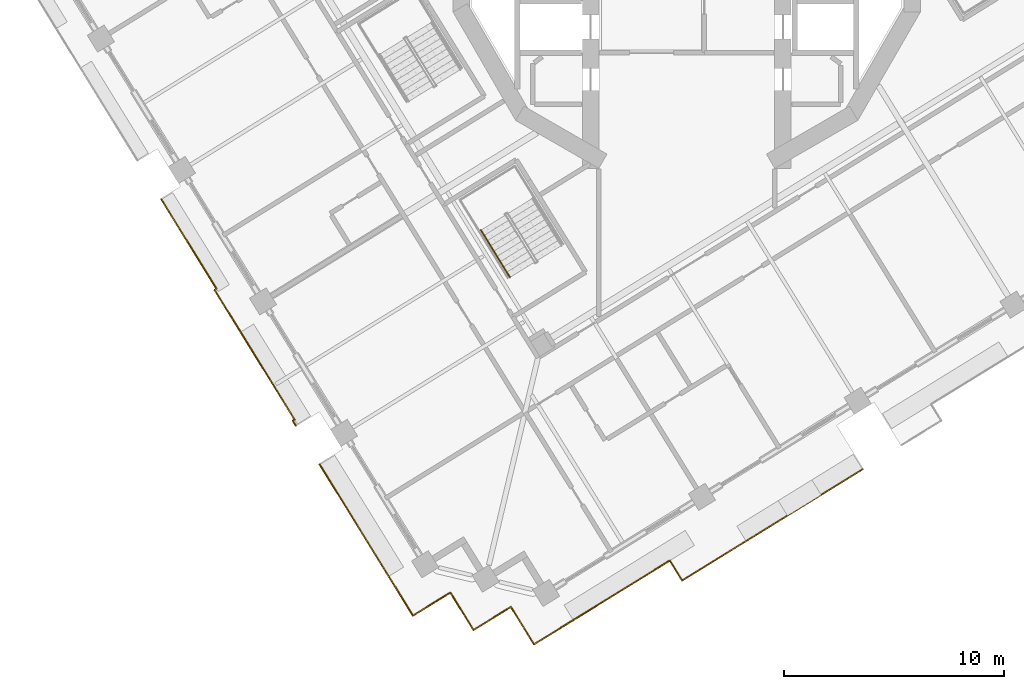
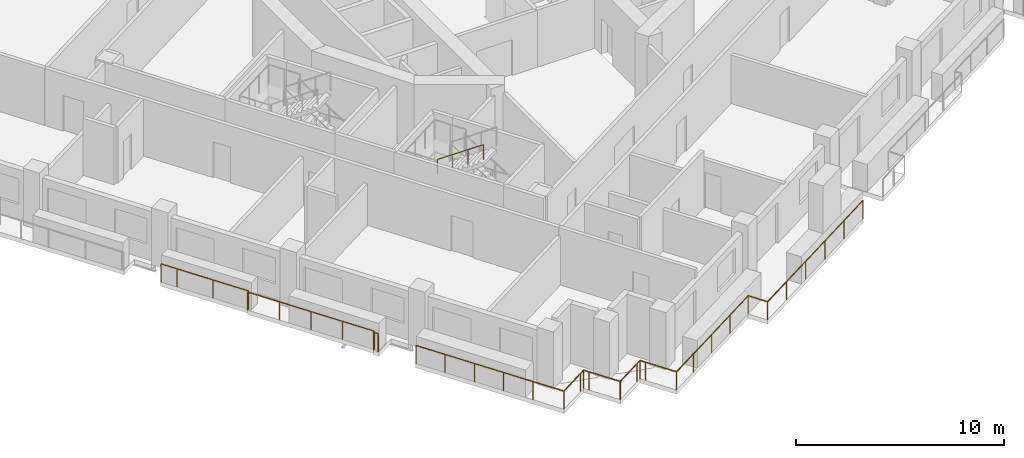
# One storey, part 14 of 21: 4 railings.
"""IFC4 building model written with IfcOpenShell, lengths in metres."""

from ifc_helpers import new_model, si_unit, direction, frame, origin, origin_2d, place, context, subcontext, project, spatial, circle, extrude, material, type_object, element, save


model = new_model("IFC4")

# Units and contexts
model_context = context("Model", 3, precision=1e-05, world=origin(), true_north=direction((0.0, 1.0)))
body_context = subcontext(model_context, "Body", "Model", "MODEL_VIEW")
ifc_project = project(units=[si_unit("LENGTHUNIT", "METRE"), si_unit("AREAUNIT", "SQUARE_METRE"), si_unit("VOLUMEUNIT", "CUBIC_METRE"), si_unit("PLANEANGLEUNIT", "RADIAN"), si_unit("MASSUNIT", "GRAM", prefix="KILO")], contexts=[model_context])

# Site, building, storey
site_placement = place(None, origin())
site = spatial("IfcSite", under=ifc_project, at=site_placement, CompositionType="ELEMENT")
building_placement = place(site_placement, origin())
building = spatial("IfcBuilding", under=site, at=building_placement, Name="Cantera Rosa Tower", CompositionType="ELEMENT")
storey_placement = place(building_placement, frame((0.0, 0.0, 185.60009765625)))
storey = spatial("IfcBuildingStorey", under=building, at=storey_placement, Name="L41", CompositionType="ELEMENT", Elevation=185.60009765625)

# Railings
ifc_material_1 = material(Name="Stainless steel and laminated glass", Category="steel")
railing_type_1 = type_object("IfcRailingType", Name="GUARD 1100", PredefinedType="BALUSTRADE", material=ifc_material_1)
railing_1_placement = place(storey_placement, frame((-13.34130859375, -28.848876953125, 0.0)))
element("IfcRailing", 1, at=railing_1_placement, inside=storey, type_object=railing_type_1, Name="GUARD L41-1", PredefinedType="BALUSTRADE", context=body_context, shape_type="SweptSolid", body=[
    extrude(circle(Radius=0.030029296875, at=origin_2d()), frame((0.0, 0.0, 1.070068359375), z_axis=(-0.524975434866, 0.851117378972, 0.0), x_axis=(-0.851117378972, -0.524975434866, 0.0)), (0.0, 0.0, 1.0), 6.389892578125),
    extrude(circle(Radius=0.02490234375, at=origin_2d()), origin(), (0.0, 0.0, 1.0), 1.0400390625),
    extrude(circle(Radius=0.02490234375, at=origin_2d()), frame((-0.838623046875, 1.359619140625, 0.0)), (0.0, 0.0, 1.0), 1.0400390625),
    extrude(circle(Radius=0.02490234375, at=origin_2d()), frame((-1.67724609375, 2.71923828125, 0.0)), (0.0, 0.0, 1.0), 1.0400390625),
    extrude(circle(Radius=0.02490234375, at=origin_2d()), frame((-2.515869140625, 4.078857421875, 0.0)), (0.0, 0.0, 1.0), 1.0400390625),
    extrude(circle(Radius=0.02490234375, at=origin_2d()), frame((-3.3544921875, 5.4384765625, 0.0)), (0.0, 0.0, 1.0), 1.0400390625),
])
railing_2_placement = place(storey_placement, frame((8.00830078125, -23.63134765625, 0.0)))
element("IfcRailing", 2, at=railing_2_placement, inside=storey, type_object=railing_type_1, Name="GUARD L41-2", PredefinedType="BALUSTRADE", context=body_context, shape_type="SweptSolid", body=[
    extrude(circle(Radius=0.030029296875, at=origin_2d()), frame((0.0, 0.0, 1.070068359375), z_axis=(-0.851117969212, -0.524974477936, 0.0), x_axis=(0.524974477936, -0.851117969212, 0.0)), (0.0, 0.0, 1.0), 9.6572265625),
    extrude(circle(Radius=0.030029296875, at=origin_2d()), frame((-8.219482421875, -5.06982421875, 1.070068359375), z_axis=(-0.525054443661, 0.851068640705, 0.0), x_axis=(-0.851068640705, -0.525054443661, 0.0)), (0.0, 0.0, 1.0), 1.067138671875),
    extrude(circle(Radius=0.030029296875, at=origin_2d()), frame((-8.77978515625, -4.16162109375, 1.070068359375), z_axis=(-0.851120447986, -0.524970459188, 0.0), x_axis=(0.524970459188, -0.851120447986, 0.0)), (0.0, 0.0, 1.0), 5.552734375),
    extrude(circle(Radius=0.030029296875, at=origin_2d()), frame((-13.505859375, -7.07666015625, 1.070068359375), z_axis=(-0.851130227454, -0.524954603669, 0.0), x_axis=(0.524954603669, -0.851130227454, 0.0)), (0.0, 0.0, 1.0), 1.699951171875),
    extrude(circle(Radius=0.030029296875, at=origin_2d()), frame((-14.95263671875, -7.968994140625, 1.070068359375), z_axis=(-0.525058638144, 0.851066052965, 0.0), x_axis=(-0.851066052965, -0.525058638144, 0.0)), (0.0, 0.0, 1.0), 1.699951171875),
    extrude(circle(Radius=0.030029296875, at=origin_2d()), frame((-15.84521484375, -6.522216796875, 1.070068359375), z_axis=(-0.524869051004, 0.85118298814, 0.0), x_axis=(-0.85118298814, -0.524869051004, 0.0)), (0.0, 0.0, 1.0), 0.300048828125),
    extrude(circle(Radius=0.030029296875, at=origin_2d()), frame((-16.002685546875, -6.266845703125, 1.070068359375), z_axis=(-0.85118298814, -0.524869051004, 0.0), x_axis=(0.524869051004, -0.85118298814, 0.0)), (0.0, 0.0, 1.0), 0.300048828125),
    extrude(circle(Radius=0.030029296875, at=origin_2d()), frame((-16.258056640625, -6.42431640625, 1.070068359375), z_axis=(-0.851066052965, -0.525058638144, 0.0), x_axis=(0.525058638144, -0.851066052965, 0.0)), (0.0, 0.0, 1.0), 1.699951171875),
    extrude(circle(Radius=0.030029296875, at=origin_2d()), frame((-17.704833984375, -7.31689453125, 1.070068359375), z_axis=(-0.524994468487, 0.851105638601, 0.0), x_axis=(-0.851105638601, -0.524994468487, 0.0)), (0.0, 0.0, 1.0), 1.7001953125),
    extrude(circle(Radius=0.030029296875, at=origin_2d()), frame((-18.597412109375, -5.869873046875, 1.070068359375), z_axis=(-0.524869051004, 0.85118298814, 0.0), x_axis=(-0.85118298814, -0.524869051004, 0.0)), (0.0, 0.0, 1.0), 0.300048828125),
    extrude(circle(Radius=0.030029296875, at=origin_2d()), frame((-18.7548828125, -5.614501953125, 1.070068359375), z_axis=(-0.85118298814, -0.524869051004, 0.0), x_axis=(0.524869051004, -0.85118298814, 0.0)), (0.0, 0.0, 1.0), 0.300048828125),
    extrude(circle(Radius=0.030029296875, at=origin_2d()), frame((-19.01025390625, -5.77197265625, 1.070068359375), z_axis=(-0.851066052965, -0.525058638144, 0.0), x_axis=(0.525058638144, -0.851066052965, 0.0)), (0.0, 0.0, 1.0), 1.699951171875),
    extrude(circle(Radius=0.030029296875, at=origin_2d()), frame((-20.45703125, -6.66455078125, 1.070068359375), z_axis=(-0.524994468487, 0.851105638601, 0.0), x_axis=(-0.851105638601, -0.524994468487, 0.0)), (0.0, 0.0, 1.0), 1.7001953125),
    extrude(circle(Radius=0.02490234375, at=origin_2d()), origin(), (0.0, 0.0, 1.0), 1.0400390625),
    extrude(circle(Radius=0.02490234375, at=origin_2d()), frame((-1.643798828125, -1.013916015625, 0.0)), (0.0, 0.0, 1.0), 1.0400390625),
    extrude(circle(Radius=0.02490234375, at=origin_2d()), frame((-3.287841796875, -2.02783203125, 0.0)), (0.0, 0.0, 1.0), 1.0400390625),
    extrude(circle(Radius=0.02490234375, at=origin_2d()), frame((-4.931640625, -3.0419921875, 0.0)), (0.0, 0.0, 1.0), 1.0400390625),
    extrude(circle(Radius=0.02490234375, at=origin_2d()), frame((-6.57568359375, -4.055908203125, 0.0)), (0.0, 0.0, 1.0), 1.0400390625),
    extrude(circle(Radius=0.02490234375, at=origin_2d()), frame((-8.219482421875, -5.06982421875, 0.0)), (0.0, 0.0, 1.0), 1.0400390625),
    extrude(circle(Radius=0.02490234375, at=origin_2d()), frame((-8.77978515625, -4.16162109375, 0.0)), (0.0, 0.0, 1.0), 1.0400390625),
    extrude(circle(Radius=0.02490234375, at=origin_2d()), frame((-10.355224609375, -5.13330078125, 0.0)), (0.0, 0.0, 1.0), 1.0400390625),
    extrude(circle(Radius=0.02490234375, at=origin_2d()), frame((-11.930419921875, -6.10498046875, 0.0)), (0.0, 0.0, 1.0), 1.0400390625),
    extrude(circle(Radius=0.02490234375, at=origin_2d()), frame((-13.505859375, -7.07666015625, 0.0)), (0.0, 0.0, 1.0), 1.0400390625),
    extrude(circle(Radius=0.02490234375, at=origin_2d()), frame((-14.95263671875, -7.968994140625, 0.0)), (0.0, 0.0, 1.0), 1.0400390625),
    extrude(circle(Radius=0.02490234375, at=origin_2d()), frame((-15.84521484375, -6.522216796875, 0.0)), (0.0, 0.0, 1.0), 1.0400390625),
    extrude(circle(Radius=0.02490234375, at=origin_2d()), frame((-16.002685546875, -6.266845703125, 0.0)), (0.0, 0.0, 1.0), 1.0400390625),
    extrude(circle(Radius=0.02490234375, at=origin_2d()), frame((-16.258056640625, -6.42431640625, 0.0)), (0.0, 0.0, 1.0), 1.0400390625),
    extrude(circle(Radius=0.02490234375, at=origin_2d()), frame((-17.704833984375, -7.31689453125, 0.0)), (0.0, 0.0, 1.0), 1.0400390625),
    extrude(circle(Radius=0.02490234375, at=origin_2d()), frame((-18.597412109375, -5.869873046875, 0.0)), (0.0, 0.0, 1.0), 1.0400390625),
    extrude(circle(Radius=0.02490234375, at=origin_2d()), frame((-18.7548828125, -5.614501953125, 0.0)), (0.0, 0.0, 1.0), 1.0400390625),
    extrude(circle(Radius=0.02490234375, at=origin_2d()), frame((-19.01025390625, -5.77197265625, 0.0)), (0.0, 0.0, 1.0), 1.0400390625),
    extrude(circle(Radius=0.02490234375, at=origin_2d()), frame((-20.45703125, -6.66455078125, 0.0)), (0.0, 0.0, 1.0), 1.0400390625),
    extrude(circle(Radius=0.02490234375, at=origin_2d()), frame((-21.349609375, -5.217529296875, 0.0)), (0.0, 0.0, 1.0), 1.0400390625),
])
railing_3_placement = place(storey_placement, frame((-17.77734375, -21.656982421875, 0.0)))
element("IfcRailing", 3, at=railing_3_placement, inside=storey, type_object=railing_type_1, Name="GUARD L41-3", PredefinedType="BALUSTRADE", context=body_context, shape_type="SweptSolid", body=[
    extrude(circle(Radius=0.030029296875, at=origin_2d()), frame((0.0, 0.0, 1.070068359375), z_axis=(-0.524702988445, 0.851285365736, 0.0), x_axis=(-0.851285365736, -0.524702988445, 0.0)), (0.0, 0.0, 1.0), 0.269775390625),
    extrude(circle(Radius=0.030029296875, at=origin_2d()), frame((-0.1416015625, 0.229736328125, 1.070068359375), z_axis=(0.851152604587, 0.524918320984, 0.0), x_axis=(-0.524918320984, 0.851152604587, 0.0)), (0.0, 0.0, 1.0), 0.099609375),
    extrude(circle(Radius=0.030029296875, at=origin_2d()), frame((-0.056884765625, 0.281982421875, 1.070068359375), z_axis=(-0.524973044058, 0.851118853635, 0.0), x_axis=(-0.851118853635, -0.524973044058, 0.0)), (0.0, 0.0, 1.0), 6.92041015625),
    extrude(circle(Radius=0.030029296875, at=origin_2d()), frame((-3.68994140625, 6.172119140625, 1.070068359375), z_axis=(0.852075986308, 0.523418105875, 0.0), x_axis=(-0.523418105875, 0.852075986308, 0.0)), (0.0, 0.0, 1.0), 0.100341796875),
    extrude(circle(Radius=0.030029296875, at=origin_2d()), frame((-3.6044921875, 6.224609375, 1.070068359375), z_axis=(-0.524945108828, 0.851136083548, 0.0), x_axis=(-0.851136083548, -0.524945108828, 0.0)), (0.0, 0.0, 1.0), 3.919677734375),
    extrude(circle(Radius=0.030029296875, at=origin_2d()), frame((-5.662109375, 9.560791015625, 1.070068359375), z_axis=(-0.525020841331, 0.851089370259, 0.0), x_axis=(-0.851089370259, -0.525020841331, 0.0)), (0.0, 0.0, 1.0), 0.8701171875),
    extrude(circle(Radius=0.02490234375, at=origin_2d()), origin(), (0.0, 0.0, 1.0), 1.0400390625),
    extrude(circle(Radius=0.02490234375, at=origin_2d()), frame((-0.1416015625, 0.229736328125, 0.0)), (0.0, 0.0, 1.0), 1.0400390625),
    extrude(circle(Radius=0.02490234375, at=origin_2d()), frame((-0.056884765625, 0.281982421875, 0.0)), (0.0, 0.0, 1.0), 1.0400390625),
    extrude(circle(Radius=0.02490234375, at=origin_2d()), frame((-0.965087890625, 1.75439453125, 0.0)), (0.0, 0.0, 1.0), 1.0400390625),
    extrude(circle(Radius=0.02490234375, at=origin_2d()), frame((-1.87353515625, 3.22705078125, 0.0)), (0.0, 0.0, 1.0), 1.0400390625),
    extrude(circle(Radius=0.02490234375, at=origin_2d()), frame((-2.78173828125, 4.69970703125, 0.0)), (0.0, 0.0, 1.0), 1.0400390625),
    extrude(circle(Radius=0.02490234375, at=origin_2d()), frame((-3.68994140625, 6.172119140625, 0.0)), (0.0, 0.0, 1.0), 1.0400390625),
    extrude(circle(Radius=0.02490234375, at=origin_2d()), frame((-3.6044921875, 6.224609375, 0.0)), (0.0, 0.0, 1.0), 1.0400390625),
    extrude(circle(Radius=0.02490234375, at=origin_2d()), frame((-4.63330078125, 7.892578125, 0.0)), (0.0, 0.0, 1.0), 1.0400390625),
    extrude(circle(Radius=0.02490234375, at=origin_2d()), frame((-5.662109375, 9.560791015625, 0.0)), (0.0, 0.0, 1.0), 1.0400390625),
    extrude(circle(Radius=0.02490234375, at=origin_2d()), frame((-6.118896484375, 10.30126953125, 0.0)), (0.0, 0.0, 1.0), 1.0400390625),
])
ifc_material_2 = material(Name="Steel S355J2 (EN 10025-2)", Category="steel")
railing_type_2 = type_object("IfcRailingType", Name="STAIR HANDRAIL 900", PredefinedType="HANDRAIL", material=ifc_material_2)
railing_4_placement = place(storey_placement, frame((-9.358154296875, -12.7685546875, 2.08984375)))
element("IfcRailing", 4, at=railing_4_placement, inside=storey, type_object=railing_type_2, Name="L41 ST-33 stair handrail 2", PredefinedType="HANDRAIL", context=body_context, shape_type="SweptSolid", body=[
    extrude(circle(Radius=0.02392578125, at=origin_2d()), frame((0.0, 0.0, 0.8759765625), z_axis=(0.434362572038, -0.70429590169, 0.561512634654), x_axis=(0.851145618652, 0.524929648476, 0.0)), (0.0, 0.0, 1.0), 3.045166015625),
    extrude(circle(Radius=0.02099609375, at=origin_2d()), origin(), (0.0, 0.0, 1.0), 0.851806640625),
    extrude(circle(Radius=0.02099609375, at=origin_2d()), frame((0.44091796875, -0.71484375, 0.570068359375)), (0.0, 0.0, 1.0), 0.851806640625),
    extrude(circle(Radius=0.02099609375, at=origin_2d()), frame((0.8818359375, -1.429931640625, 1.139892578125)), (0.0, 0.0, 1.0), 0.851806640625),
    extrude(circle(Radius=0.02099609375, at=origin_2d()), frame((1.32275390625, -2.144775390625, 1.7099609375)), (0.0, 0.0, 1.0), 0.851806640625),
])

save(model, "model.ifc")
